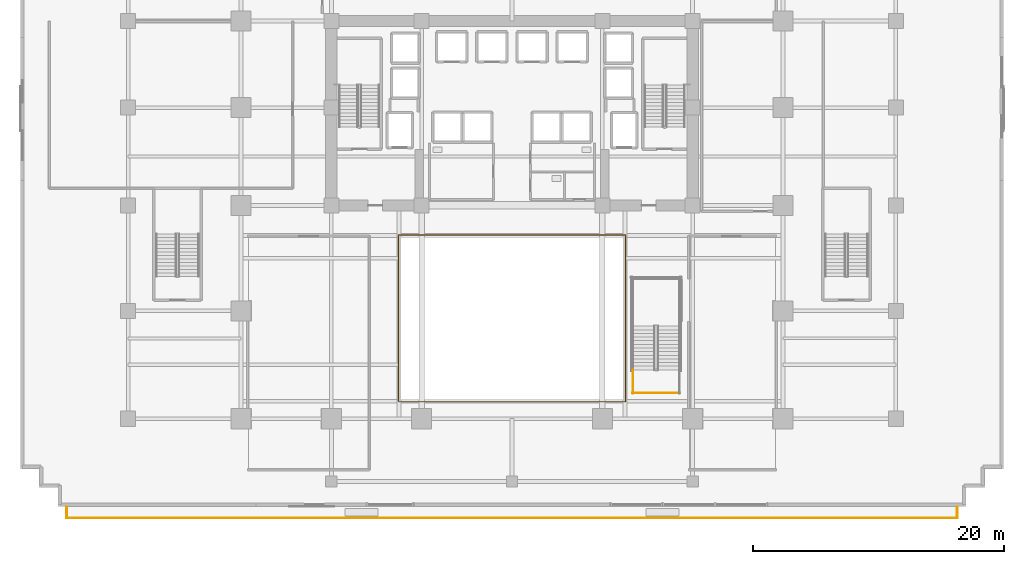
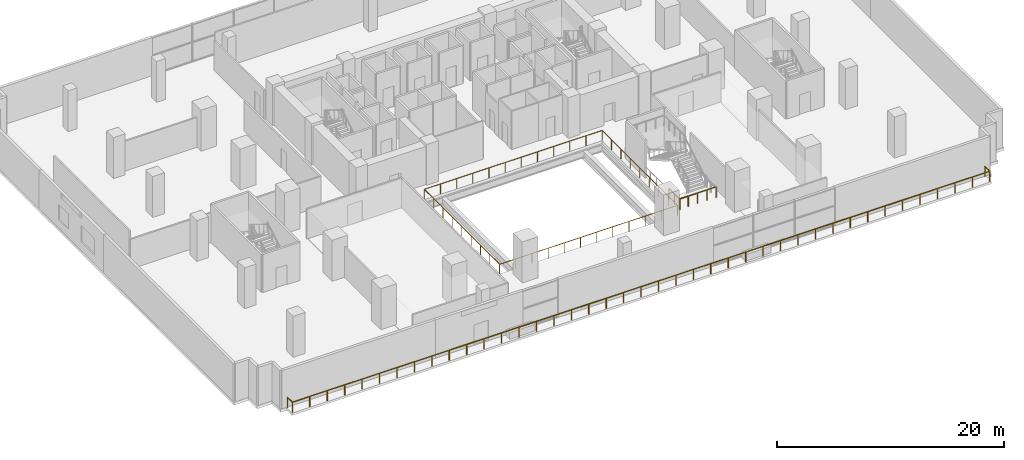
# One storey, part 17 of 21: 4 railings.
"""IFC4 building model written with IfcOpenShell, lengths in metres."""

from ifc_helpers import new_model, si_unit, direction, frame, origin, origin_2d, place, context, subcontext, project, spatial, rectangle, extrude, material, type_object, element, save


model = new_model("IFC4")

# Units and contexts
model_context = context("Model", 3, precision=1e-05, world=origin(), true_north=direction((0.0, 1.0)))
body_context = subcontext(model_context, "Body", "Model", "MODEL_VIEW")
ifc_project = project(units=[si_unit("LENGTHUNIT", "METRE"), si_unit("AREAUNIT", "SQUARE_METRE"), si_unit("VOLUMEUNIT", "CUBIC_METRE"), si_unit("PLANEANGLEUNIT", "RADIAN"), si_unit("MASSUNIT", "GRAM", prefix="KILO")], contexts=[model_context])

# Site, building, storey
site_placement = place(None, origin())
site = spatial("IfcSite", under=ifc_project, at=site_placement, CompositionType="ELEMENT")
building_placement = place(site_placement, origin())
building = spatial("IfcBuilding", under=site, at=building_placement, Name="Zarnakvel Exchange Tower", CompositionType="ELEMENT")
storey_placement = place(building_placement, frame((0.0, 0.0, 5.0)))
storey = spatial("IfcBuildingStorey", under=building, at=storey_placement, Name="L01", CompositionType="ELEMENT", Elevation=5.0)

# Railings
ifc_material = material(Name="Architectural Bronze Anodised Aluminium", Category="aluminium")
railing_type_1 = type_object("IfcRailingType", Name="GR-02", PredefinedType="GUARDRAIL", material=ifc_material)
railing_1_placement = place(storey_placement, frame((-35.5, -25.25, 0.0)))
element("IfcRailing", 1, at=railing_1_placement, inside=storey, type_object=railing_type_1, Name="L01 Podium Terrace Perimeter Guardrail", PredefinedType="GUARDRAIL", context=body_context, shape_type="SweptSolid", body=[
    extrude(rectangle(XDim=0.048095703125, YDim=0.048095703125, at=origin_2d()), frame((0.0, 0.0, 1.09619140625), z_axis=(0.0, -1.0, 0.0), x_axis=(1.0, 0.0, 0.0)), (0.0, 0.0, 1.0), 0.85009765625),
    extrude(rectangle(XDim=0.048095703125, YDim=0.048095703125, at=origin_2d()), frame((0.0, -0.85009765625, 1.09619140625), z_axis=(1.0, 0.0, 0.0), x_axis=(0.0, 1.0, 0.0)), (0.0, 0.0, 1.0), 71.0),
    extrude(rectangle(XDim=0.048095703125, YDim=0.048095703125, at=origin_2d()), frame((71.0, -0.85009765625, 1.09619140625), z_axis=(0.0, 1.0, 0.0), x_axis=(-1.0, 0.0, 0.0)), (0.0, 0.0, 1.0), 0.85009765625),
    extrude(rectangle(XDim=0.0419921875, YDim=0.0419921875, at=origin_2d()), origin(), (0.0, 0.0, 1.0), 1.072021484375),
    extrude(rectangle(XDim=0.0419921875, YDim=0.0419921875, at=origin_2d()), frame((0.0, -0.85009765625, 0.0)), (0.0, 0.0, 1.0), 1.072021484375),
    extrude(rectangle(XDim=0.0419921875, YDim=0.0419921875, at=origin_2d()), frame((1.77490234375, -0.85009765625, 0.0)), (0.0, 0.0, 1.0), 1.072021484375),
    extrude(rectangle(XDim=0.0419921875, YDim=0.0419921875, at=origin_2d()), frame((3.550048828125, -0.85009765625, 0.0)), (0.0, 0.0, 1.0), 1.072021484375),
    extrude(rectangle(XDim=0.0419921875, YDim=0.0419921875, at=origin_2d()), frame((5.324951171875, -0.85009765625, 0.0)), (0.0, 0.0, 1.0), 1.072021484375),
    extrude(rectangle(XDim=0.0419921875, YDim=0.0419921875, at=origin_2d()), frame((7.10009765625, -0.85009765625, 0.0)), (0.0, 0.0, 1.0), 1.072021484375),
    extrude(rectangle(XDim=0.0419921875, YDim=0.0419921875, at=origin_2d()), frame((8.875, -0.85009765625, 0.0)), (0.0, 0.0, 1.0), 1.072021484375),
    extrude(rectangle(XDim=0.0419921875, YDim=0.0419921875, at=origin_2d()), frame((10.64990234375, -0.85009765625, 0.0)), (0.0, 0.0, 1.0), 1.072021484375),
    extrude(rectangle(XDim=0.0419921875, YDim=0.0419921875, at=origin_2d()), frame((12.425048828125, -0.85009765625, 0.0)), (0.0, 0.0, 1.0), 1.072021484375),
    extrude(rectangle(XDim=0.0419921875, YDim=0.0419921875, at=origin_2d()), frame((14.199951171875, -0.85009765625, 0.0)), (0.0, 0.0, 1.0), 1.072021484375),
    extrude(rectangle(XDim=0.0419921875, YDim=0.0419921875, at=origin_2d()), frame((15.97509765625, -0.85009765625, 0.0)), (0.0, 0.0, 1.0), 1.072021484375),
    extrude(rectangle(XDim=0.0419921875, YDim=0.0419921875, at=origin_2d()), frame((17.75, -0.85009765625, 0.0)), (0.0, 0.0, 1.0), 1.072021484375),
    extrude(rectangle(XDim=0.0419921875, YDim=0.0419921875, at=origin_2d()), frame((19.52490234375, -0.85009765625, 0.0)), (0.0, 0.0, 1.0), 1.072021484375),
    extrude(rectangle(XDim=0.0419921875, YDim=0.0419921875, at=origin_2d()), frame((21.300048828125, -0.85009765625, 0.0)), (0.0, 0.0, 1.0), 1.072021484375),
    extrude(rectangle(XDim=0.0419921875, YDim=0.0419921875, at=origin_2d()), frame((23.074951171875, -0.85009765625, 0.0)), (0.0, 0.0, 1.0), 1.072021484375),
    extrude(rectangle(XDim=0.0419921875, YDim=0.0419921875, at=origin_2d()), frame((24.85009765625, -0.85009765625, 0.0)), (0.0, 0.0, 1.0), 1.072021484375),
    extrude(rectangle(XDim=0.0419921875, YDim=0.0419921875, at=origin_2d()), frame((26.625, -0.85009765625, 0.0)), (0.0, 0.0, 1.0), 1.072021484375),
    extrude(rectangle(XDim=0.0419921875, YDim=0.0419921875, at=origin_2d()), frame((28.39990234375, -0.85009765625, 0.0)), (0.0, 0.0, 1.0), 1.072021484375),
    extrude(rectangle(XDim=0.0419921875, YDim=0.0419921875, at=origin_2d()), frame((30.175048828125, -0.85009765625, 0.0)), (0.0, 0.0, 1.0), 1.072021484375),
    extrude(rectangle(XDim=0.0419921875, YDim=0.0419921875, at=origin_2d()), frame((31.949951171875, -0.85009765625, 0.0)), (0.0, 0.0, 1.0), 1.072021484375),
    extrude(rectangle(XDim=0.0419921875, YDim=0.0419921875, at=origin_2d()), frame((33.72509765625, -0.85009765625, 0.0)), (0.0, 0.0, 1.0), 1.072021484375),
    extrude(rectangle(XDim=0.0419921875, YDim=0.0419921875, at=origin_2d()), frame((35.5, -0.85009765625, 0.0)), (0.0, 0.0, 1.0), 1.072021484375),
    extrude(rectangle(XDim=0.0419921875, YDim=0.0419921875, at=origin_2d()), frame((37.27490234375, -0.85009765625, 0.0)), (0.0, 0.0, 1.0), 1.072021484375),
    extrude(rectangle(XDim=0.0419921875, YDim=0.0419921875, at=origin_2d()), frame((39.050048828125, -0.85009765625, 0.0)), (0.0, 0.0, 1.0), 1.072021484375),
    extrude(rectangle(XDim=0.0419921875, YDim=0.0419921875, at=origin_2d()), frame((40.824951171875, -0.85009765625, 0.0)), (0.0, 0.0, 1.0), 1.072021484375),
    extrude(rectangle(XDim=0.0419921875, YDim=0.0419921875, at=origin_2d()), frame((42.60009765625, -0.85009765625, 0.0)), (0.0, 0.0, 1.0), 1.072021484375),
    extrude(rectangle(XDim=0.0419921875, YDim=0.0419921875, at=origin_2d()), frame((44.375, -0.85009765625, 0.0)), (0.0, 0.0, 1.0), 1.072021484375),
    extrude(rectangle(XDim=0.0419921875, YDim=0.0419921875, at=origin_2d()), frame((46.14990234375, -0.85009765625, 0.0)), (0.0, 0.0, 1.0), 1.072021484375),
    extrude(rectangle(XDim=0.0419921875, YDim=0.0419921875, at=origin_2d()), frame((47.925048828125, -0.85009765625, 0.0)), (0.0, 0.0, 1.0), 1.072021484375),
    extrude(rectangle(XDim=0.0419921875, YDim=0.0419921875, at=origin_2d()), frame((49.699951171875, -0.85009765625, 0.0)), (0.0, 0.0, 1.0), 1.072021484375),
    extrude(rectangle(XDim=0.0419921875, YDim=0.0419921875, at=origin_2d()), frame((51.47509765625, -0.85009765625, 0.0)), (0.0, 0.0, 1.0), 1.072021484375),
    extrude(rectangle(XDim=0.0419921875, YDim=0.0419921875, at=origin_2d()), frame((53.25, -0.85009765625, 0.0)), (0.0, 0.0, 1.0), 1.072021484375),
    extrude(rectangle(XDim=0.0419921875, YDim=0.0419921875, at=origin_2d()), frame((55.02490234375, -0.85009765625, 0.0)), (0.0, 0.0, 1.0), 1.072021484375),
    extrude(rectangle(XDim=0.0419921875, YDim=0.0419921875, at=origin_2d()), frame((56.800048828125, -0.85009765625, 0.0)), (0.0, 0.0, 1.0), 1.072021484375),
    extrude(rectangle(XDim=0.0419921875, YDim=0.0419921875, at=origin_2d()), frame((58.574951171875, -0.85009765625, 0.0)), (0.0, 0.0, 1.0), 1.072021484375),
    extrude(rectangle(XDim=0.0419921875, YDim=0.0419921875, at=origin_2d()), frame((60.35009765625, -0.85009765625, 0.0)), (0.0, 0.0, 1.0), 1.072021484375),
    extrude(rectangle(XDim=0.0419921875, YDim=0.0419921875, at=origin_2d()), frame((62.125, -0.85009765625, 0.0)), (0.0, 0.0, 1.0), 1.072021484375),
    extrude(rectangle(XDim=0.0419921875, YDim=0.0419921875, at=origin_2d()), frame((63.89990234375, -0.85009765625, 0.0)), (0.0, 0.0, 1.0), 1.072021484375),
    extrude(rectangle(XDim=0.0419921875, YDim=0.0419921875, at=origin_2d()), frame((65.675048828125, -0.85009765625, 0.0)), (0.0, 0.0, 1.0), 1.072021484375),
    extrude(rectangle(XDim=0.0419921875, YDim=0.0419921875, at=origin_2d()), frame((67.449951171875, -0.85009765625, 0.0)), (0.0, 0.0, 1.0), 1.072021484375),
    extrude(rectangle(XDim=0.0419921875, YDim=0.0419921875, at=origin_2d()), frame((69.22509765625, -0.85009765625, 0.0)), (0.0, 0.0, 1.0), 1.072021484375),
    extrude(rectangle(XDim=0.0419921875, YDim=0.0419921875, at=origin_2d()), frame((71.0, -0.85009765625, 0.0)), (0.0, 0.0, 1.0), 1.072021484375),
    extrude(rectangle(XDim=0.0419921875, YDim=0.0419921875, at=origin_2d()), frame((71.0, 0.0, 0.0)), (0.0, 0.0, 1.0), 1.072021484375),
])
railing_type_2 = type_object("IfcRailingType", Name="GR-03", PredefinedType="GUARDRAIL", material=ifc_material)
railing_2_placement = place(storey_placement, frame((-9.050048828125, -16.85009765625, 0.0)))
element("IfcRailing", 2, at=railing_2_placement, inside=storey, type_object=railing_type_2, Name="L01 Atrium Void Perimeter Balustrade", PredefinedType="GUARDRAIL", context=body_context, shape_type="SweptSolid", body=[
    extrude(rectangle(XDim=0.048095703125, YDim=0.048095703125, at=origin_2d()), frame((0.0, 0.0, 1.076171875), z_axis=(1.0, 0.0, 0.0), x_axis=(0.0, 1.0, 0.0)), (0.0, 0.0, 1.0), 18.10009765625),
    extrude(rectangle(XDim=0.048095703125, YDim=0.048095703125, at=origin_2d()), frame((18.10009765625, 0.0, 1.076171875), z_axis=(0.0, 1.0, 0.0), x_axis=(-1.0, 0.0, 0.0)), (0.0, 0.0, 1.0), 13.300048828125),
    extrude(rectangle(XDim=0.048095703125, YDim=0.048095703125, at=origin_2d()), frame((18.10009765625, 13.300048828125, 1.076171875), z_axis=(-1.0, 0.0, 0.0), x_axis=(0.0, -1.0, 0.0)), (0.0, 0.0, 1.0), 18.10009765625),
    extrude(rectangle(XDim=0.048095703125, YDim=0.048095703125, at=origin_2d()), frame((0.0, 13.300048828125, 1.076171875), z_axis=(0.0, -1.0, 0.0), x_axis=(1.0, 0.0, 0.0)), (0.0, 0.0, 1.0), 13.219970703125),
    extrude(rectangle(XDim=0.0419921875, YDim=0.0419921875, at=origin_2d()), origin(), (0.0, 0.0, 1.0), 1.052001953125),
    extrude(rectangle(XDim=0.0419921875, YDim=0.0419921875, at=origin_2d()), frame((1.6455078125, 0.0, 0.0)), (0.0, 0.0, 1.0), 1.052001953125),
    extrude(rectangle(XDim=0.0419921875, YDim=0.0419921875, at=origin_2d()), frame((3.291015625, 0.0, 0.0)), (0.0, 0.0, 1.0), 1.052001953125),
    extrude(rectangle(XDim=0.0419921875, YDim=0.0419921875, at=origin_2d()), frame((4.936279296875, 0.0, 0.0)), (0.0, 0.0, 1.0), 1.052001953125),
    extrude(rectangle(XDim=0.0419921875, YDim=0.0419921875, at=origin_2d()), frame((6.581787109375, 0.0, 0.0)), (0.0, 0.0, 1.0), 1.052001953125),
    extrude(rectangle(XDim=0.0419921875, YDim=0.0419921875, at=origin_2d()), frame((8.227294921875, 0.0, 0.0)), (0.0, 0.0, 1.0), 1.052001953125),
    extrude(rectangle(XDim=0.0419921875, YDim=0.0419921875, at=origin_2d()), frame((9.872802734375, 0.0, 0.0)), (0.0, 0.0, 1.0), 1.052001953125),
    extrude(rectangle(XDim=0.0419921875, YDim=0.0419921875, at=origin_2d()), frame((11.518310546875, 0.0, 0.0)), (0.0, 0.0, 1.0), 1.052001953125),
    extrude(rectangle(XDim=0.0419921875, YDim=0.0419921875, at=origin_2d()), frame((13.163818359375, 0.0, 0.0)), (0.0, 0.0, 1.0), 1.052001953125),
    extrude(rectangle(XDim=0.0419921875, YDim=0.0419921875, at=origin_2d()), frame((14.80908203125, 0.0, 0.0)), (0.0, 0.0, 1.0), 1.052001953125),
    extrude(rectangle(XDim=0.0419921875, YDim=0.0419921875, at=origin_2d()), frame((16.45458984375, 0.0, 0.0)), (0.0, 0.0, 1.0), 1.052001953125),
    extrude(rectangle(XDim=0.0419921875, YDim=0.0419921875, at=origin_2d()), frame((18.10009765625, 0.0, 0.0)), (0.0, 0.0, 1.0), 1.052001953125),
    extrude(rectangle(XDim=0.0419921875, YDim=0.0419921875, at=origin_2d()), frame((18.10009765625, 1.66259765625, 0.0)), (0.0, 0.0, 1.0), 1.052001953125),
    extrude(rectangle(XDim=0.0419921875, YDim=0.0419921875, at=origin_2d()), frame((18.10009765625, 3.324951171875, 0.0)), (0.0, 0.0, 1.0), 1.052001953125),
    extrude(rectangle(XDim=0.0419921875, YDim=0.0419921875, at=origin_2d()), frame((18.10009765625, 4.987548828125, 0.0)), (0.0, 0.0, 1.0), 1.052001953125),
    extrude(rectangle(XDim=0.0419921875, YDim=0.0419921875, at=origin_2d()), frame((18.10009765625, 6.64990234375, 0.0)), (0.0, 0.0, 1.0), 1.052001953125),
    extrude(rectangle(XDim=0.0419921875, YDim=0.0419921875, at=origin_2d()), frame((18.10009765625, 8.3125, 0.0)), (0.0, 0.0, 1.0), 1.052001953125),
    extrude(rectangle(XDim=0.0419921875, YDim=0.0419921875, at=origin_2d()), frame((18.10009765625, 9.97509765625, 0.0)), (0.0, 0.0, 1.0), 1.052001953125),
    extrude(rectangle(XDim=0.0419921875, YDim=0.0419921875, at=origin_2d()), frame((18.10009765625, 11.637451171875, 0.0)), (0.0, 0.0, 1.0), 1.052001953125),
    extrude(rectangle(XDim=0.0419921875, YDim=0.0419921875, at=origin_2d()), frame((18.10009765625, 13.300048828125, 0.0)), (0.0, 0.0, 1.0), 1.052001953125),
    extrude(rectangle(XDim=0.0419921875, YDim=0.0419921875, at=origin_2d()), frame((16.45458984375, 13.300048828125, 0.0)), (0.0, 0.0, 1.0), 1.052001953125),
    extrude(rectangle(XDim=0.0419921875, YDim=0.0419921875, at=origin_2d()), frame((14.80908203125, 13.300048828125, 0.0)), (0.0, 0.0, 1.0), 1.052001953125),
    extrude(rectangle(XDim=0.0419921875, YDim=0.0419921875, at=origin_2d()), frame((13.163818359375, 13.300048828125, 0.0)), (0.0, 0.0, 1.0), 1.052001953125),
    extrude(rectangle(XDim=0.0419921875, YDim=0.0419921875, at=origin_2d()), frame((11.518310546875, 13.300048828125, 0.0)), (0.0, 0.0, 1.0), 1.052001953125),
    extrude(rectangle(XDim=0.0419921875, YDim=0.0419921875, at=origin_2d()), frame((9.872802734375, 13.300048828125, 0.0)), (0.0, 0.0, 1.0), 1.052001953125),
    extrude(rectangle(XDim=0.0419921875, YDim=0.0419921875, at=origin_2d()), frame((8.227294921875, 13.300048828125, 0.0)), (0.0, 0.0, 1.0), 1.052001953125),
    extrude(rectangle(XDim=0.0419921875, YDim=0.0419921875, at=origin_2d()), frame((6.581787109375, 13.300048828125, 0.0)), (0.0, 0.0, 1.0), 1.052001953125),
    extrude(rectangle(XDim=0.0419921875, YDim=0.0419921875, at=origin_2d()), frame((4.936279296875, 13.300048828125, 0.0)), (0.0, 0.0, 1.0), 1.052001953125),
    extrude(rectangle(XDim=0.0419921875, YDim=0.0419921875, at=origin_2d()), frame((3.291015625, 13.300048828125, 0.0)), (0.0, 0.0, 1.0), 1.052001953125),
    extrude(rectangle(XDim=0.0419921875, YDim=0.0419921875, at=origin_2d()), frame((1.6455078125, 13.300048828125, 0.0)), (0.0, 0.0, 1.0), 1.052001953125),
    extrude(rectangle(XDim=0.0419921875, YDim=0.0419921875, at=origin_2d()), frame((0.0, 13.300048828125, 0.0)), (0.0, 0.0, 1.0), 1.052001953125),
    extrude(rectangle(XDim=0.0419921875, YDim=0.0419921875, at=origin_2d()), frame((0.0, 11.6474609375, 0.0)), (0.0, 0.0, 1.0), 1.052001953125),
    extrude(rectangle(XDim=0.0419921875, YDim=0.0419921875, at=origin_2d()), frame((0.0, 9.9951171875, 0.0)), (0.0, 0.0, 1.0), 1.052001953125),
    extrude(rectangle(XDim=0.0419921875, YDim=0.0419921875, at=origin_2d()), frame((0.0, 8.342529296875, 0.0)), (0.0, 0.0, 1.0), 1.052001953125),
    extrude(rectangle(XDim=0.0419921875, YDim=0.0419921875, at=origin_2d()), frame((0.0, 6.68994140625, 0.0)), (0.0, 0.0, 1.0), 1.052001953125),
    extrude(rectangle(XDim=0.0419921875, YDim=0.0419921875, at=origin_2d()), frame((0.0, 5.03759765625, 0.0)), (0.0, 0.0, 1.0), 1.052001953125),
    extrude(rectangle(XDim=0.0419921875, YDim=0.0419921875, at=origin_2d()), frame((0.0, 3.385009765625, 0.0)), (0.0, 0.0, 1.0), 1.052001953125),
    extrude(rectangle(XDim=0.0419921875, YDim=0.0419921875, at=origin_2d()), frame((0.0, 1.732666015625, 0.0)), (0.0, 0.0, 1.0), 1.052001953125),
    extrude(rectangle(XDim=0.0419921875, YDim=0.0419921875, at=origin_2d()), frame((0.0, 0.080078125, 0.0)), (0.0, 0.0, 1.0), 1.052001953125),
])
railing_type_3 = type_object("IfcRailingType", Name="SG-01", PredefinedType="GUARDRAIL", material=ifc_material)
railing_3_placement = place(storey_placement, frame((9.64990234375, -16.199951171875, 0.0)))
element("IfcRailing", 3, at=railing_3_placement, inside=storey, type_object=railing_type_3, Name="L01 ST-06 stair guard 9", PredefinedType="GUARDRAIL", context=body_context, shape_type="SweptSolid", body=[
    extrude(rectangle(XDim=0.048095703125, YDim=0.048095703125, at=origin_2d()), frame((0.0, 0.0, 1.1259765625), z_axis=(0.0, 1.0, 0.0), x_axis=(-1.0, 0.0, 0.0)), (0.0, 0.0, 1.0), 1.89990234375),
    extrude(rectangle(XDim=0.0419921875, YDim=0.0419921875, at=origin_2d()), origin(), (0.0, 0.0, 1.0), 1.101806640625),
    extrude(rectangle(XDim=0.0419921875, YDim=0.0419921875, at=origin_2d()), frame((0.0, 0.949951171875, 0.0)), (0.0, 0.0, 1.0), 1.101806640625),
    extrude(rectangle(XDim=0.0419921875, YDim=0.0419921875, at=origin_2d()), frame((0.0, 1.89990234375, 0.0)), (0.0, 0.0, 1.0), 1.101806640625),
])
railing_4_placement = place(storey_placement, frame((13.39990234375, -16.14990234375, 0.0)))
element("IfcRailing", 4, at=railing_4_placement, inside=storey, type_object=railing_type_3, Name="L01 ST-06 stair guard 10", PredefinedType="GUARDRAIL", context=body_context, shape_type="SweptSolid", body=[
    extrude(rectangle(XDim=0.048095703125, YDim=0.048095703125, at=origin_2d()), frame((0.0, 0.0, 1.1259765625), z_axis=(-1.0, 0.0, 0.0), x_axis=(0.0, -1.0, 0.0)), (0.0, 0.0, 1.0), 3.7998046875),
    extrude(rectangle(XDim=0.0419921875, YDim=0.0419921875, at=origin_2d()), origin(), (0.0, 0.0, 1.0), 1.101806640625),
    extrude(rectangle(XDim=0.0419921875, YDim=0.0419921875, at=origin_2d()), frame((-0.949951171875, 0.0, 0.0)), (0.0, 0.0, 1.0), 1.101806640625),
    extrude(rectangle(XDim=0.0419921875, YDim=0.0419921875, at=origin_2d()), frame((-1.89990234375, 0.0, 0.0)), (0.0, 0.0, 1.0), 1.101806640625),
    extrude(rectangle(XDim=0.0419921875, YDim=0.0419921875, at=origin_2d()), frame((-2.849853515625, 0.0, 0.0)), (0.0, 0.0, 1.0), 1.101806640625),
    extrude(rectangle(XDim=0.0419921875, YDim=0.0419921875, at=origin_2d()), frame((-3.7998046875, 0.0, 0.0)), (0.0, 0.0, 1.0), 1.101806640625),
])

save(model, "model.ifc")
